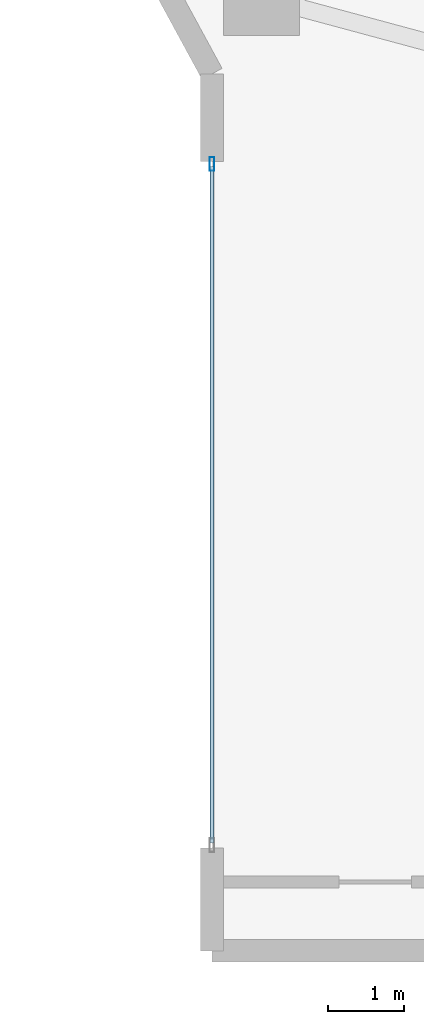
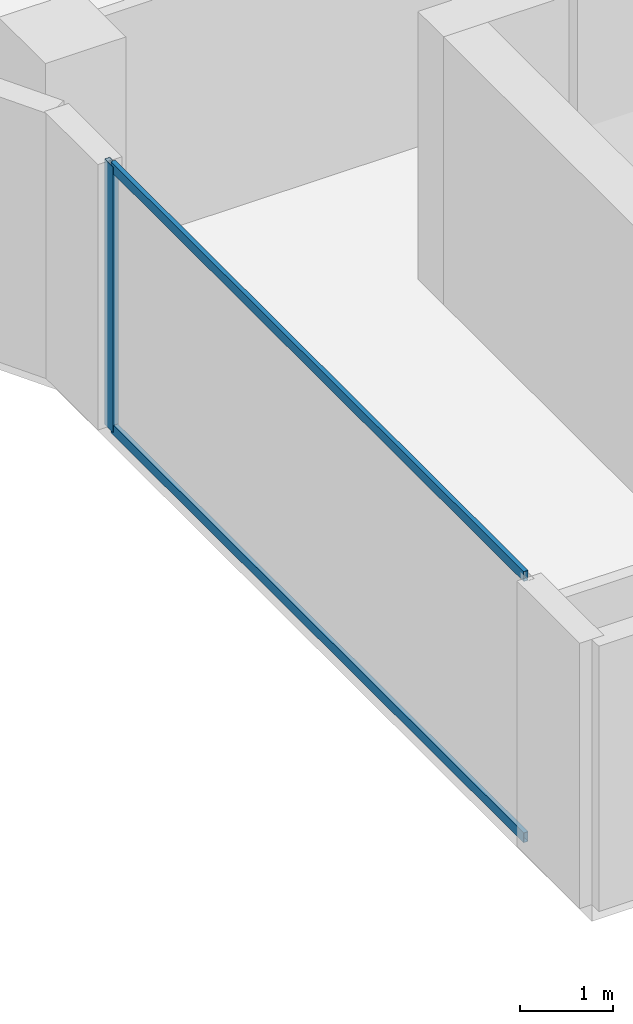
# One storey, part 3 of 23: 3 members, 1 element without a shape of its own.
"""IFC4 building model written with IfcOpenShell, lengths in metres."""

from ifc_helpers import new_model, si_unit, direction, frame, origin, origin_2d, place, context, subcontext, project, spatial, hollow_rectangle, extrude, material, layer, layer_set, material_profile, profile_set, type_object, element, aggregate, save


model = new_model("IFC4")

# Units and contexts
model_context = context("Model", 3, precision=1e-05, world=origin(), true_north=direction((0.0, 1.0)))
body_context = subcontext(model_context, "Body", "Model", "MODEL_VIEW")
ifc_project = project(units=[si_unit("LENGTHUNIT", "METRE"), si_unit("AREAUNIT", "SQUARE_METRE"), si_unit("VOLUMEUNIT", "CUBIC_METRE"), si_unit("PLANEANGLEUNIT", "RADIAN"), si_unit("MASSUNIT", "GRAM", prefix="KILO")], contexts=[model_context])

# Site, building, storey
site_placement = place(None, origin())
site = spatial("IfcSite", under=ifc_project, at=site_placement, CompositionType="ELEMENT")
building_placement = place(site_placement, origin())
building = spatial("IfcBuilding", under=site, at=building_placement, Name="Zuhayl Quay Hotel", CompositionType="ELEMENT")
storey_placement = place(building_placement, frame((0.0, 0.0, 272.949951171875)))
storey = spatial("IfcBuildingStorey", under=building, at=storey_placement, Name="L69", CompositionType="ELEMENT", Elevation=272.949951171875)

# Curtain wall, members
ifc_material_1 = material(Name="Anodised Aluminium 6063-T6", Category="aluminium")
ifc_layer = layer(ifc_material_1, 0.169921875, Name="Anodised Aluminium 6063-T6", Category="aluminium")
ifc_layer_set = layer_set([ifc_layer], Name="Anodised Aluminium 6063-T6")
curtain_wall_type = type_object("IfcCurtainWallType", Name="CW_SYS_Z4", PredefinedType="USERDEFINED", material=ifc_layer_set)
curtain_wall_placement = place(storey_placement, origin())
curtain_wall = element("IfcCurtainWall", 1, at=curtain_wall_placement, inside=storey, type_object=curtain_wall_type, Name="L69 Curtain Wall ENV_L69_E02_CW1", ObjectType="UNITISED CURTAIN WALL", PredefinedType="USERDEFINED")
ifc_material_2 = material(Name="Black-anodised aluminium 6063-T6", Category="aluminium")
ifc_material_profile_1 = material_profile(ifc_material_2, hollow_rectangle(XDim=0.06494140625, YDim=0.179931640625, WallThickness=0.00341796875, at=origin_2d()), Name="ALU180X65")
ifc_profile_set_1 = profile_set([ifc_material_profile_1], Name="Black-anodised aluminium 6063-T6")
member_type_1 = type_object("IfcMemberType", Name="MB_CW_MUL_180", PredefinedType="MULLION", material=ifc_profile_set_1)
member_1_placement = place(storey_placement, frame((-20.199951171875, 13.717529296875, 0.0), z_axis=(0.0, 0.0, 1.0), x_axis=(-1.0, 0.0, 0.0)))
member_1 = element("IfcMember", 2, at=member_1_placement, type_object=member_type_1, Name="CW-Z4 mullion 2", PredefinedType="MULLION", context=body_context, shape_type="SweptSolid", body=[
    extrude(hollow_rectangle(XDim=0.06494140625, YDim=0.179931640625, WallThickness=0.00341796875, at=origin_2d()), origin(), (0.0, 0.0, 1.0), 3.47998046875),
])
ifc_material_profile_2 = material_profile(ifc_material_2, hollow_rectangle(XDim=0.054931640625, YDim=0.1298828125, WallThickness=0.0029296875, at=origin_2d()), Name="ALU130X55")
ifc_profile_set_2 = profile_set([ifc_material_profile_2], Name="Black-anodised aluminium 6063-T6")
member_type_2 = type_object("IfcMemberType", Name="MB_CW_TRN_130", PredefinedType="USERDEFINED", material=ifc_profile_set_2)
member_2_placement = place(storey_placement, frame((-20.199951171875, 4.81494140625, 0.027587890625), z_axis=(0.0, 1.0, 0.0), x_axis=(-1.0, 0.0, 0.0)))
member_2 = element("IfcMember", 3, at=member_2_placement, type_object=member_type_2, Name="CW-Z4 transom 1.1", ObjectType="TRANSOM", PredefinedType="USERDEFINED", context=body_context, shape_type="SweptSolid", body=[
    extrude(hollow_rectangle(XDim=0.054931640625, YDim=0.1298828125, WallThickness=0.0029296875, at=origin_2d()), origin(), (0.0, 0.0, 1.0), 8.8701171875),
])
member_3_placement = place(storey_placement, frame((-20.199951171875, 4.81494140625, 3.45263671875), z_axis=(0.0, 1.0, 0.0), x_axis=(-1.0, 0.0, 0.0)))
member_3 = element("IfcMember", 4, at=member_3_placement, type_object=member_type_2, Name="CW-Z4 transom 1.2", ObjectType="TRANSOM", PredefinedType="USERDEFINED", context=body_context, shape_type="SweptSolid", body=[
    extrude(hollow_rectangle(XDim=0.054931640625, YDim=0.1298828125, WallThickness=0.0029296875, at=origin_2d()), origin(), (0.0, 0.0, 1.0), 8.8701171875),
])
aggregate(curtain_wall, [member_1, member_2, member_3])

save(model, "model.ifc")
